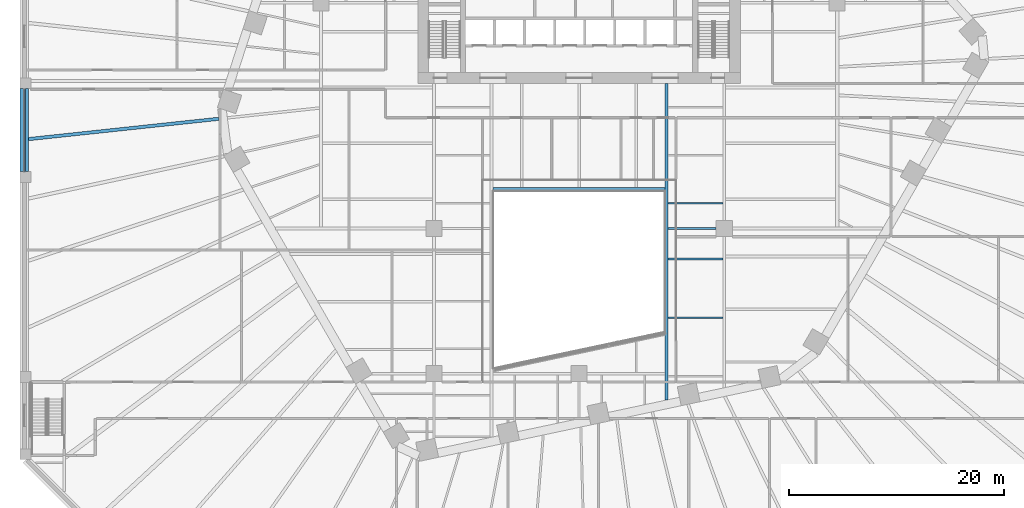
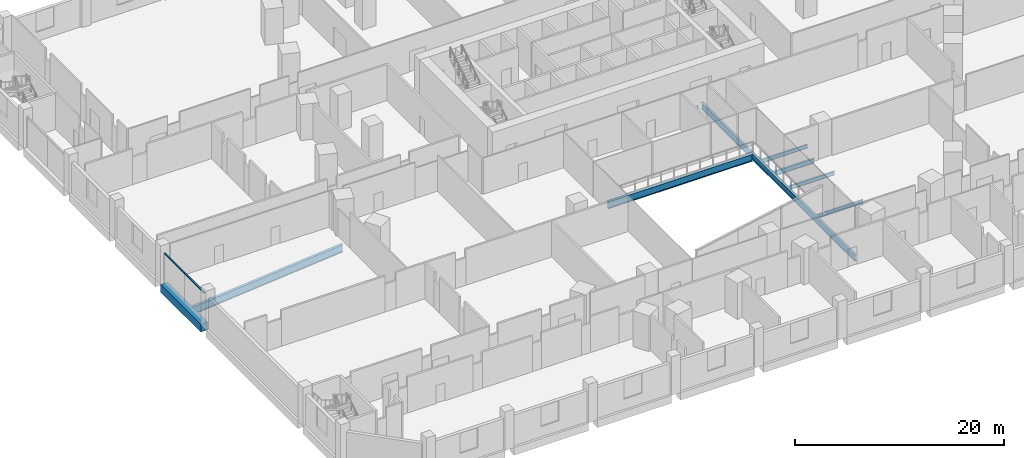
# One storey, part 4 of 29: 8 beams, 2 members, 1 element without a shape of its own.
"""IFC4 building model written with IfcOpenShell, lengths in metres."""

from ifc_helpers import new_model, si_unit, direction, frame, origin, origin_2d, place, context, subcontext, project, spatial, rectangle, i_section, extrude, material, layer, layer_set, material_profile, profile_set, type_object, element, aggregate, save


model = new_model("IFC4")

# Units and contexts
model_context = context("Model", 3, precision=1e-05, world=origin(), true_north=direction((0.0, 1.0)))
body_context = subcontext(model_context, "Body", "Model", "MODEL_VIEW")
ifc_project = project(units=[si_unit("LENGTHUNIT", "METRE"), si_unit("AREAUNIT", "SQUARE_METRE"), si_unit("VOLUMEUNIT", "CUBIC_METRE"), si_unit("PLANEANGLEUNIT", "RADIAN"), si_unit("MASSUNIT", "GRAM", prefix="KILO")], contexts=[model_context])

# Site, building, storey
site_placement = place(None, origin())
site = spatial("IfcSite", under=ifc_project, at=site_placement, CompositionType="ELEMENT")
building_placement = place(site_placement, origin())
building = spatial("IfcBuilding", under=site, at=building_placement, Name="Isthmus Gate Tower", CompositionType="ELEMENT")
storey_placement = place(building_placement, frame((0.0, 0.0, 27.0)))
storey = spatial("IfcBuildingStorey", under=building, at=storey_placement, Name="L04", CompositionType="ELEMENT", Elevation=27.0)

# Curtain wall, members
ifc_material_1 = material(Name="Aluminium, pale champagne anodised", Category="aluminium")
ifc_layer = layer(ifc_material_1, 0.14990234375)
ifc_layer_set = layer_set([ifc_layer], Name="CW-3 STOREFRONT CURTAIN WALL 150 DEEP")
curtain_wall_type = type_object("IfcCurtainWallType", Name="CW-3 STOREFRONT CURTAIN WALL 150 DEEP", PredefinedType="NOTDEFINED", material=ifc_layer_set)
curtain_wall_placement = place(storey_placement, origin())
curtain_wall = element("IfcCurtainWall", 1, at=curtain_wall_placement, inside=storey, type_object=curtain_wall_type, Name="CW-3 W L04", PredefinedType="NOTDEFINED")
ifc_material_2 = material(Name="Aluminium, pale champagne anodised", Category="aluminium")
ifc_material_profile_1 = material_profile(ifc_material_2, rectangle(XDim=0.14990234375, YDim=0.1201171875, at=origin_2d()), Name="150x120")
ifc_profile_set_1 = profile_set([ifc_material_profile_1], Name="Aluminium, pale champagne anodised")
member_type = type_object("IfcMemberType", Name="CW-3 TRANSOM 150 X 120", PredefinedType="USERDEFINED", material=ifc_profile_set_1)
member_1_placement = place(storey_placement, frame((-51.574951171875, -0.56005859375, 3.239990234375), z_axis=(0.0, -1.0, 0.0), x_axis=(1.0, 0.0, 0.0)))
member_1 = element("IfcMember", 2, at=member_1_placement, type_object=member_type, Name="CW-3 transom", ObjectType="TRANSOM", PredefinedType="USERDEFINED", context=body_context, shape_type="SweptSolid", body=[
    extrude(rectangle(XDim=0.14990234375, YDim=0.1201171875, at=origin_2d()), origin(), (0.0, 0.0, 1.0), 3.7900390625),
])
member_2_placement = place(storey_placement, frame((-51.574951171875, -4.35009765625, 3.239990234375), z_axis=(0.0, -1.0, 0.0), x_axis=(1.0, 0.0, 0.0)))
member_2 = element("IfcMember", 3, at=member_2_placement, type_object=member_type, Name="CW-3 transom", ObjectType="TRANSOM", PredefinedType="USERDEFINED", context=body_context, shape_type="SweptSolid", body=[
    extrude(rectangle(XDim=0.14990234375, YDim=0.1201171875, at=origin_2d()), origin(), (0.0, 0.0, 1.0), 3.849853515625),
])
aggregate(curtain_wall, [member_1, member_2])

# Beams
ifc_material_3 = material(Name="Concrete f'c 70 MPa", Category="concrete")
ifc_material_profile_2 = material_profile(ifc_material_3, rectangle(XDim=0.800048828125, YDim=0.89990234375, at=origin_2d()), Name="RC 800X900")
ifc_profile_set_2 = profile_set([ifc_material_profile_2], Name="Concrete f'c 70 MPa")
beam_type_1 = type_object("IfcBeamType", Name="RC EDGE BEAM 800 X 900", PredefinedType="BEAM", material=ifc_profile_set_2)
beam_1_placement = place(storey_placement, frame((-51.60009765625, -8.199951171875, -0.75), z_axis=(0.0, 1.0, 0.0), x_axis=(-1.0, 0.0, 0.0)))
element("IfcBeam", 4, at=beam_1_placement, inside=storey, type_object=beam_type_1, Name="str-edgebeam-L04-03", PredefinedType="BEAM", context=body_context, shape_type="SweptSolid", body=[
    extrude(rectangle(XDim=0.800048828125, YDim=0.89990234375, at=origin_2d()), origin(), (0.0, 0.0, 1.0), 7.699951171875),
])
ifc_material_4 = material(Name="Structural steel ASTM A992 Gr 50", Category="steel")
ifc_material_profile_3 = material_profile(ifc_material_4, i_section(OverallWidth=0.15234375, OverallDepth=0.45068359375, WebThickness=0.0078125, FlangeThickness=0.010986328125, at=origin_2d()), Name="W18X35")
ifc_profile_set_3 = profile_set([ifc_material_profile_3], Name="Structural steel ASTM A992 Gr 50")
beam_type_2 = type_object("IfcBeamType", Name="STEEL FLOOR BEAM W18X35", PredefinedType="JOIST", material=ifc_profile_set_3)
for number, where, z_axis, x_axis, name in (
    (5, (8.263427734375, -21.792724609375, -0.525390625), (1.0, 0.0, 0.0), (0.0, 1.0, 0.0), "str-beam-L04-25-01"),
    (6, (8.263427734375, -16.334228515625, -0.525390625), (1.0, 0.0, 0.0), (0.0, 1.0, 0.0), "str-beam-L04-25-02"),
):
    element("IfcBeam", number, at=place(storey_placement, frame(where, z_axis=z_axis, x_axis=x_axis)), inside=storey, type_object=beam_type_2, Name=name, PredefinedType="JOIST", context=body_context, shape_type="SweptSolid", body=[
        extrude(i_section(OverallWidth=0.15234375, OverallDepth=0.45068359375, WebThickness=0.0078125, FlangeThickness=0.010986328125, at=origin_2d()), origin(), (0.0, 0.0, 1.0), 5.103271484375),
    ])
beam_2_placement = place(storey_placement, frame((8.263427734375, -11.16259765625, -0.525390625), z_axis=(1.0, 0.0, 0.0), x_axis=(0.0, 1.0, 0.0)))
element("IfcBeam", 7, at=beam_2_placement, inside=storey, type_object=beam_type_2, Name="str-beam-L04-26-00", PredefinedType="JOIST", context=body_context, shape_type="SweptSolid", body=[
    extrude(i_section(OverallWidth=0.15234375, OverallDepth=0.45068359375, WebThickness=0.0078125, FlangeThickness=0.010986328125, at=origin_2d()), origin(), (0.0, 0.0, 1.0), 5.104736328125),
])
ifc_material_5 = material(Name="Structural steel ASTM A992 Gr 50", Category="steel")
ifc_material_profile_4 = material_profile(ifc_material_5, i_section(OverallWidth=0.3046875, OverallDepth=0.901611328125, WebThickness=0.015869140625, FlangeThickness=0.0205078125, at=origin_2d()), Name="W36X135")
ifc_profile_set_4 = profile_set([ifc_material_profile_4], Name="Structural steel ASTM A992 Gr 50")
beam_type_3 = type_object("IfcBeamType", Name="STEEL FLOOR BEAM W36X135", PredefinedType="JOIST", material=ifc_profile_set_4)
beam_3_placement = place(storey_placement, frame((-33.51123046875, -3.297119140625, -0.750732421875), z_axis=(-0.994335031987, -0.106291317444, 0.0), x_axis=(0.106291317444, -0.994335031987, 0.0)))
element("IfcBeam", 8, at=beam_3_placement, inside=storey, type_object=beam_type_3, Name="str-beam-L04-19-36", PredefinedType="JOIST", context=body_context, shape_type="SweptSolid", body=[
    extrude(i_section(OverallWidth=0.3046875, OverallDepth=0.901611328125, WebThickness=0.015869140625, FlangeThickness=0.0205078125, at=origin_2d()), origin(), (0.0, 0.0, 1.0), 17.78955078125),
])
ifc_material_6 = material(Name="Structural steel ASTM A992 Gr 50", Category="steel")
ifc_material_profile_5 = material_profile(ifc_material_6, i_section(OverallWidth=0.20947265625, OverallDepth=0.533447265625, WebThickness=0.009521484375, FlangeThickness=0.015869140625, at=origin_2d()), Name="W21X62")
ifc_profile_set_5 = profile_set([ifc_material_profile_5], Name="Structural steel ASTM A992 Gr 50")
beam_type_4 = type_object("IfcBeamType", Name="STEEL GIRDER W21X62", PredefinedType="BEAM", material=ifc_profile_set_5)
beam_4_placement = place(storey_placement, frame((8.263427734375, -13.5, -0.566650390625), z_axis=(1.0, 0.0, 0.0), x_axis=(0.0, 1.0, 0.0)))
element("IfcBeam", 9, at=beam_4_placement, inside=storey, type_object=beam_type_4, Name="str-girder-L04-07", PredefinedType="BEAM", context=body_context, shape_type="SweptSolid", body=[
    extrude(i_section(OverallWidth=0.20947265625, OverallDepth=0.533447265625, WebThickness=0.009521484375, FlangeThickness=0.015869140625, at=origin_2d()), origin(), (0.0, 0.0, 1.0), 4.486572265625),
])
ifc_material_7 = material(Name="Structural steel ASTM A992 Gr 50", Category="steel")
ifc_material_profile_6 = material_profile(ifc_material_7, i_section(OverallWidth=0.263427734375, OverallDepth=0.749267578125, WebThickness=0.0126953125, FlangeThickness=0.015869140625, at=origin_2d()), Name="W30X90")
ifc_profile_set_6 = profile_set([ifc_material_profile_6], Name="Structural steel ASTM A992 Gr 50")
beam_type_5 = type_object("IfcBeamType", Name="STEEL TRIMMER W30X90", PredefinedType="BEAM", material=ifc_profile_set_6)
beam_5_placement = place(storey_placement, frame((8.1318359375, -29.45361328125, -0.674560546875), z_axis=(0.0, 1.0, 0.0), x_axis=(-1.0, 0.0, 0.0)))
element("IfcBeam", 10, at=beam_5_placement, inside=storey, type_object=beam_type_5, Name="str-trimmer-L04-01", PredefinedType="BEAM", context=body_context, shape_type="SweptSolid", body=[
    extrude(i_section(OverallWidth=0.263427734375, OverallDepth=0.749267578125, WebThickness=0.0126953125, FlangeThickness=0.015869140625, at=origin_2d()), origin(), (0.0, 0.0, 1.0), 29.45361328125),
])
ifc_material_8 = material(Name="Structural steel ASTM A992 Gr 50", Category="steel")
ifc_material_profile_7 = material_profile(ifc_material_8, i_section(OverallWidth=0.2919921875, OverallDepth=0.8349609375, WebThickness=0.014404296875, FlangeThickness=0.01904296875, at=origin_2d()), Name="W33X118")
ifc_profile_set_7 = profile_set([ifc_material_profile_7], Name="Structural steel ASTM A992 Gr 50")
beam_type_6 = type_object("IfcBeamType", Name="STEEL TRIMMER W33X118", PredefinedType="BEAM", material=ifc_profile_set_7)
beam_6_placement = place(storey_placement, frame((8.0, -9.85400390625, -0.717529296875), z_axis=(-1.0, 0.0, 0.0), x_axis=(0.0, -1.0, 0.0)))
element("IfcBeam", 11, at=beam_6_placement, inside=storey, type_object=beam_type_6, Name="str-trimmer-L04-12", PredefinedType="BEAM", context=body_context, shape_type="SweptSolid", body=[
    extrude(i_section(OverallWidth=0.2919921875, OverallDepth=0.8349609375, WebThickness=0.014404296875, FlangeThickness=0.01904296875, at=origin_2d()), origin(), (0.0, 0.0, 1.0), 16.0),
])

save(model, "model.ifc")
